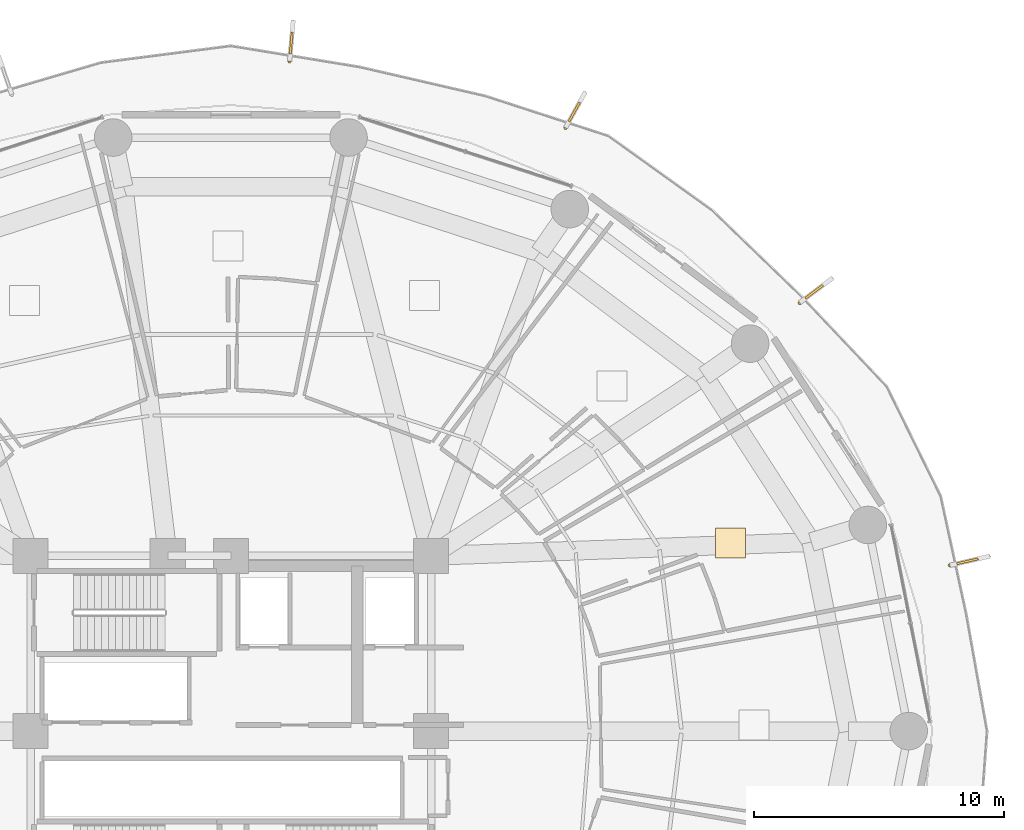
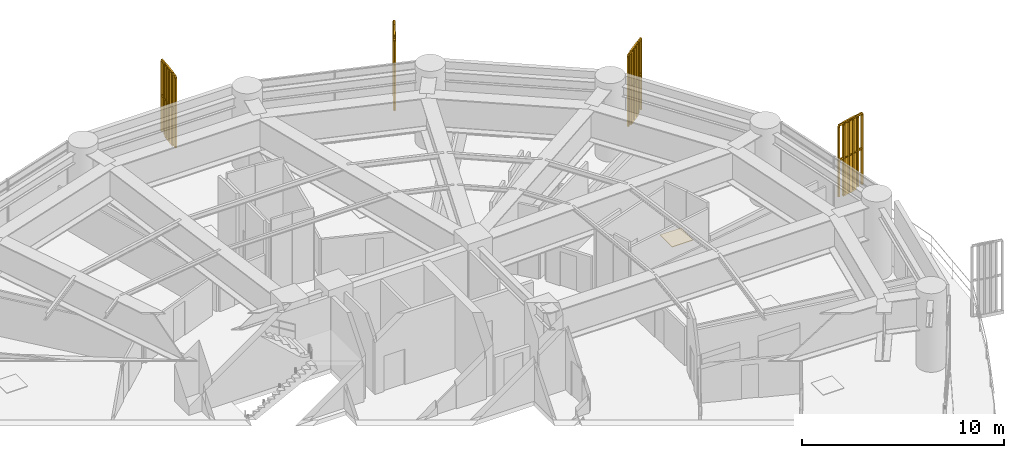
# One storey, part 31 of 31: 4 railings, 4 shading devices, 1 covering.
"""IFC4 building model written with IfcOpenShell, lengths in metres."""

from ifc_helpers import new_model, si_unit, direction, frame, origin, origin_2d, place, context, subcontext, project, spatial, polyline, rectangle, outline, extrude, source, transform, mapped, material, layer, layer_set, type_object, element, save


model = new_model("IFC4")

# Units and contexts
model_context = context("Model", 3, precision=1e-05, world=origin(), true_north=direction((0.0, 1.0)))
body_context = subcontext(model_context, "Body", "Model", "MODEL_VIEW")
ifc_project = project(units=[si_unit("LENGTHUNIT", "METRE"), si_unit("AREAUNIT", "SQUARE_METRE"), si_unit("VOLUMEUNIT", "CUBIC_METRE"), si_unit("PLANEANGLEUNIT", "RADIAN"), si_unit("MASSUNIT", "GRAM", prefix="KILO")], contexts=[model_context])

# Site, building, storey
site_placement = place(None, origin())
site = spatial("IfcSite", under=ifc_project, at=site_placement, CompositionType="ELEMENT")
building_placement = place(site_placement, origin())
building = spatial("IfcBuilding", under=site, at=building_placement, Name="Kelanora Arch Commons", CompositionType="ELEMENT")
storey_placement = place(building_placement, frame((0.0, 0.0, 67.5)))
storey = spatial("IfcBuildingStorey", under=building, at=storey_placement, Name="L17", CompositionType="ELEMENT", Elevation=67.5)

# Railings
ifc_material_1 = material(Name="Anodised bronze vertical shading fin rib assembly")
railing_type = type_object("IfcRailingType", Name="RAIL-FIN-BRZ", PredefinedType="BALUSTRADE", material=ifc_material_1)
railing_1_placement = place(storey_placement, frame((96.72802734375, 75.11767578125, -0.02001953125)))
element("IfcRailing", 1, at=railing_1_placement, inside=storey, type_object=railing_type, Name="Sweeping Bronze Vertical Fin Blade L17-00", PredefinedType="BALUSTRADE", context=body_context, shape_type="SweptSolid", body=[
    extrude(outline(polyline([(0.06982421875, 0.0), (0.034912109375, 0.060546875), (-0.034912109375, 0.060546875), (-0.06982421875, 0.0), (-0.034912109375, -0.060546875), (0.034912109375, -0.060546875), (0.06982421875, 0.0)])), frame((0.0, 0.0, 4.2900390625), z_axis=(0.798848930792, 0.601531699724, 0.0), x_axis=(-0.601531699724, 0.798848930792, 0.0)), (0.0, 0.0, 1.0), 1.580078125),
    extrude(outline(polyline([(0.06982421875, 0.0), (0.034912109375, 0.060546875), (-0.034912109375, 0.060546875), (-0.06982421875, 0.0), (-0.034912109375, -0.060546875), (0.034912109375, -0.060546875), (0.06982421875, 0.0)])), frame((0.0, 0.0, 2.18017578125), z_axis=(0.798848930792, 0.601531699724, 0.0), x_axis=(-0.601531699724, 0.798848930792, 0.0)), (0.0, 0.0, 1.0), 1.580078125),
    extrude(outline(polyline([(0.080078125, 0.0), (0.0400390625, 0.0693359375), (-0.0400390625, 0.0693359375), (-0.080078125, 0.0), (-0.0400390625, -0.0693359375), (0.0400390625, -0.0693359375), (0.080078125, 0.0)])), origin(), (0.0, 0.0, 1.0), 4.22021484375),
    extrude(outline(polyline([(0.080078125, 0.0), (0.0400390625, 0.0693359375), (-0.0400390625, 0.0693359375), (-0.080078125, 0.0), (-0.0400390625, -0.0693359375), (0.0400390625, -0.0693359375), (0.080078125, 0.0)])), frame((0.25244140625, 0.190185546875, 0.0)), (0.0, 0.0, 1.0), 4.22021484375),
    extrude(outline(polyline([(0.080078125, 0.0), (0.0400390625, 0.0693359375), (-0.0400390625, 0.0693359375), (-0.080078125, 0.0), (-0.0400390625, -0.0693359375), (0.0400390625, -0.0693359375), (0.080078125, 0.0)])), frame((0.5048828125, 0.380126953125, 0.0)), (0.0, 0.0, 1.0), 4.22021484375),
    extrude(outline(polyline([(0.080078125, 0.0), (0.0400390625, 0.0693359375), (-0.0400390625, 0.0693359375), (-0.080078125, 0.0), (-0.0400390625, -0.0693359375), (0.0400390625, -0.0693359375), (0.080078125, 0.0)])), frame((0.75732421875, 0.5703125, 0.0)), (0.0, 0.0, 1.0), 4.22021484375),
    extrude(outline(polyline([(0.080078125, 0.0), (0.0400390625, 0.0693359375), (-0.0400390625, 0.0693359375), (-0.080078125, 0.0), (-0.0400390625, -0.0693359375), (0.0400390625, -0.0693359375), (0.080078125, 0.0)])), frame((1.009765625, 0.76025390625, 0.0)), (0.0, 0.0, 1.0), 4.22021484375),
    extrude(outline(polyline([(0.080078125, 0.0), (0.0400390625, 0.0693359375), (-0.0400390625, 0.0693359375), (-0.080078125, 0.0), (-0.0400390625, -0.0693359375), (0.0400390625, -0.0693359375), (0.080078125, 0.0)])), frame((1.26220703125, 0.950439453125, 0.0)), (0.0, 0.0, 1.0), 4.22021484375),
])
railing_2_placement = place(storey_placement, frame((87.36962890625, 82.104736328125, -0.02001953125)))
element("IfcRailing", 2, at=railing_2_placement, inside=storey, type_object=railing_type, Name="Sweeping Bronze Vertical Fin Blade L17-01", PredefinedType="BALUSTRADE", context=body_context, shape_type="SweptSolid", body=[
    extrude(outline(polyline([(0.06982421875, 0.0), (0.034912109375, 0.060546875), (-0.034912109375, 0.060546875), (-0.06982421875, 0.0), (-0.034912109375, -0.060546875), (0.034912109375, -0.060546875), (0.06982421875, 0.0)])), frame((0.0, 0.0, 4.2900390625), z_axis=(0.48506552945, 0.874477805401, 0.0), x_axis=(-0.874477805401, 0.48506552945, 0.0)), (0.0, 0.0, 1.0), 1.579833984375),
    extrude(outline(polyline([(0.06982421875, 0.0), (0.034912109375, 0.060546875), (-0.034912109375, 0.060546875), (-0.06982421875, 0.0), (-0.034912109375, -0.060546875), (0.034912109375, -0.060546875), (0.06982421875, 0.0)])), frame((0.0, 0.0, 2.18017578125), z_axis=(0.48506552945, 0.874477805401, 0.0), x_axis=(-0.874477805401, 0.48506552945, 0.0)), (0.0, 0.0, 1.0), 1.579833984375),
    extrude(outline(polyline([(0.080078125, 0.0), (0.0400390625, 0.0693359375), (-0.0400390625, 0.0693359375), (-0.080078125, 0.0), (-0.0400390625, -0.0693359375), (0.0400390625, -0.0693359375), (0.080078125, 0.0)])), origin(), (0.0, 0.0, 1.0), 4.22021484375),
    extrude(outline(polyline([(0.080078125, 0.0), (0.0400390625, 0.0693359375), (-0.0400390625, 0.0693359375), (-0.080078125, 0.0), (-0.0400390625, -0.0693359375), (0.0400390625, -0.0693359375), (0.080078125, 0.0)])), frame((0.1533203125, 0.2763671875, 0.0)), (0.0, 0.0, 1.0), 4.22021484375),
    extrude(outline(polyline([(0.080078125, 0.0), (0.0400390625, 0.0693359375), (-0.0400390625, 0.0693359375), (-0.080078125, 0.0), (-0.0400390625, -0.0693359375), (0.0400390625, -0.0693359375), (0.080078125, 0.0)])), frame((0.306640625, 0.552734375, 0.0)), (0.0, 0.0, 1.0), 4.22021484375),
    extrude(outline(polyline([(0.080078125, 0.0), (0.0400390625, 0.0693359375), (-0.0400390625, 0.0693359375), (-0.080078125, 0.0), (-0.0400390625, -0.0693359375), (0.0400390625, -0.0693359375), (0.080078125, 0.0)])), frame((0.459716796875, 0.828857421875, 0.0)), (0.0, 0.0, 1.0), 4.22021484375),
    extrude(outline(polyline([(0.080078125, 0.0), (0.0400390625, 0.0693359375), (-0.0400390625, 0.0693359375), (-0.080078125, 0.0), (-0.0400390625, -0.0693359375), (0.0400390625, -0.0693359375), (0.080078125, 0.0)])), frame((0.613037109375, 1.105224609375, 0.0)), (0.0, 0.0, 1.0), 4.22021484375),
    extrude(outline(polyline([(0.080078125, 0.0), (0.0400390625, 0.0693359375), (-0.0400390625, 0.0693359375), (-0.080078125, 0.0), (-0.0400390625, -0.0693359375), (0.0400390625, -0.0693359375), (0.080078125, 0.0)])), frame((0.766357421875, 1.381591796875, 0.0)), (0.0, 0.0, 1.0), 4.22021484375),
])
railing_3_placement = place(storey_placement, frame((76.3486328125, 84.765380859375, -0.02001953125)))
element("IfcRailing", 3, at=railing_3_placement, inside=storey, type_object=railing_type, Name="Sweeping Bronze Vertical Fin Blade L17-02", PredefinedType="BALUSTRADE", context=body_context, shape_type="SweptSolid", body=[
    extrude(outline(polyline([(0.06982421875, 0.0), (0.034912109375, 0.060546875), (-0.034912109375, 0.060546875), (-0.06982421875, 0.0), (-0.034912109375, -0.060546875), (0.034912109375, -0.060546875), (0.06982421875, 0.0)])), frame((0.0, 0.0, 4.2900390625), z_axis=(0.087456380655, 0.99616834997, 0.0), x_axis=(-0.99616834997, 0.087456380655, 0.0)), (0.0, 0.0, 1.0), 1.580078125),
    extrude(outline(polyline([(0.06982421875, 0.0), (0.034912109375, 0.060546875), (-0.034912109375, 0.060546875), (-0.06982421875, 0.0), (-0.034912109375, -0.060546875), (0.034912109375, -0.060546875), (0.06982421875, 0.0)])), frame((0.0, 0.0, 2.18017578125), z_axis=(0.087456380655, 0.99616834997, 0.0), x_axis=(-0.99616834997, 0.087456380655, 0.0)), (0.0, 0.0, 1.0), 1.580078125),
    extrude(outline(polyline([(0.080078125, 0.0), (0.0400390625, 0.0693359375), (-0.0400390625, 0.0693359375), (-0.080078125, 0.0), (-0.0400390625, -0.0693359375), (0.0400390625, -0.0693359375), (0.080078125, 0.0)])), origin(), (0.0, 0.0, 1.0), 4.22021484375),
    extrude(outline(polyline([(0.080078125, 0.0), (0.0400390625, 0.0693359375), (-0.0400390625, 0.0693359375), (-0.080078125, 0.0), (-0.0400390625, -0.0693359375), (0.0400390625, -0.0693359375), (0.080078125, 0.0)])), frame((0.027587890625, 0.314697265625, 0.0)), (0.0, 0.0, 1.0), 4.22021484375),
    extrude(outline(polyline([(0.080078125, 0.0), (0.0400390625, 0.0693359375), (-0.0400390625, 0.0693359375), (-0.080078125, 0.0), (-0.0400390625, -0.0693359375), (0.0400390625, -0.0693359375), (0.080078125, 0.0)])), frame((0.05517578125, 0.629638671875, 0.0)), (0.0, 0.0, 1.0), 4.22021484375),
    extrude(outline(polyline([(0.080078125, 0.0), (0.0400390625, 0.0693359375), (-0.0400390625, 0.0693359375), (-0.080078125, 0.0), (-0.0400390625, -0.0693359375), (0.0400390625, -0.0693359375), (0.080078125, 0.0)])), frame((0.0830078125, 0.9443359375, 0.0)), (0.0, 0.0, 1.0), 4.22021484375),
    extrude(outline(polyline([(0.080078125, 0.0), (0.0400390625, 0.0693359375), (-0.0400390625, 0.0693359375), (-0.080078125, 0.0), (-0.0400390625, -0.0693359375), (0.0400390625, -0.0693359375), (0.080078125, 0.0)])), frame((0.110595703125, 1.25927734375, 0.0)), (0.0, 0.0, 1.0), 4.22021484375),
    extrude(outline(polyline([(0.080078125, 0.0), (0.0400390625, 0.0693359375), (-0.0400390625, 0.0693359375), (-0.080078125, 0.0), (-0.0400390625, -0.0693359375), (0.0400390625, -0.0693359375), (0.080078125, 0.0)])), frame((0.13818359375, 1.573974609375, 0.0)), (0.0, 0.0, 1.0), 4.22021484375),
])
railing_4_placement = place(storey_placement, frame((102.7265625, 64.6240234375, -0.02001953125)))
element("IfcRailing", 4, at=railing_4_placement, inside=storey, type_object=railing_type, Name="Sweeping Bronze Vertical Fin Blade L17-14", PredefinedType="BALUSTRADE", context=body_context, shape_type="SweptSolid", body=[
    extrude(outline(polyline([(0.06982421875, 0.0), (0.034912109375, 0.060546875), (-0.034912109375, 0.060546875), (-0.06982421875, 0.0), (-0.034912109375, -0.060546875), (0.034912109375, -0.060546875), (0.06982421875, 0.0)])), frame((0.0, 0.0, 4.2900390625), z_axis=(0.97443284855, 0.224678934632, 0.0), x_axis=(-0.224678934632, 0.97443284855, 0.0)), (0.0, 0.0, 1.0), 1.579833984375),
    extrude(outline(polyline([(0.06982421875, 0.0), (0.034912109375, 0.060546875), (-0.034912109375, 0.060546875), (-0.06982421875, 0.0), (-0.034912109375, -0.060546875), (0.034912109375, -0.060546875), (0.06982421875, 0.0)])), frame((0.0, 0.0, 2.18017578125), z_axis=(0.97443284855, 0.224678934632, 0.0), x_axis=(-0.224678934632, 0.97443284855, 0.0)), (0.0, 0.0, 1.0), 1.579833984375),
    extrude(outline(polyline([(0.080078125, 0.0), (0.0400390625, 0.0693359375), (-0.0400390625, 0.0693359375), (-0.080078125, 0.0), (-0.0400390625, -0.0693359375), (0.0400390625, -0.0693359375), (0.080078125, 0.0)])), origin(), (0.0, 0.0, 1.0), 4.22021484375),
    extrude(outline(polyline([(0.080078125, 0.0), (0.0400390625, 0.0693359375), (-0.0400390625, 0.0693359375), (-0.080078125, 0.0), (-0.0400390625, -0.0693359375), (0.0400390625, -0.0693359375), (0.080078125, 0.0)])), frame((0.307861328125, 0.071044921875, 0.0)), (0.0, 0.0, 1.0), 4.22021484375),
    extrude(outline(polyline([(0.080078125, 0.0), (0.0400390625, 0.0693359375), (-0.0400390625, 0.0693359375), (-0.080078125, 0.0), (-0.0400390625, -0.0693359375), (0.0400390625, -0.0693359375), (0.080078125, 0.0)])), frame((0.61572265625, 0.14208984375, 0.0)), (0.0, 0.0, 1.0), 4.22021484375),
    extrude(outline(polyline([(0.080078125, 0.0), (0.0400390625, 0.0693359375), (-0.0400390625, 0.0693359375), (-0.080078125, 0.0), (-0.0400390625, -0.0693359375), (0.0400390625, -0.0693359375), (0.080078125, 0.0)])), frame((0.923828125, 0.212890625, 0.0)), (0.0, 0.0, 1.0), 4.22021484375),
    extrude(outline(polyline([(0.080078125, 0.0), (0.0400390625, 0.0693359375), (-0.0400390625, 0.0693359375), (-0.080078125, 0.0), (-0.0400390625, -0.0693359375), (0.0400390625, -0.0693359375), (0.080078125, 0.0)])), frame((1.231689453125, 0.283935546875, 0.0)), (0.0, 0.0, 1.0), 4.22021484375),
    extrude(outline(polyline([(0.080078125, 0.0), (0.0400390625, 0.0693359375), (-0.0400390625, 0.0693359375), (-0.080078125, 0.0), (-0.0400390625, -0.0693359375), (0.0400390625, -0.0693359375), (0.080078125, 0.0)])), frame((1.53955078125, 0.35498046875, 0.0)), (0.0, 0.0, 1.0), 4.22021484375),
])

# Shading devices
ifc_material_2 = material(Name="Terracotta ceramic-clad extruded aluminium fin", Category="masonry")
shading_device_type = type_object("IfcShadingDeviceType", Name="SHD-FIN-FLARE", PredefinedType="USERDEFINED", material=ifc_material_2)
shared_shape_1 = source(origin(), body_context, "Body", "SweptSolid", [
    extrude(rectangle(XDim=0.8798828125, YDim=0.090087890625, at=origin_2d()), origin(), (0.0, 0.0, 1.0), 4.47998046875),
])
for number, where, z_axis, x_axis, name in (
    (5, (97.30322265625, 75.55078125, -0.139892578125), (0.0, 0.0, 1.0), (0.79884553446, 0.60153621011, 0.0), "Sweeping Terracotta Fin L17-00"),
    (6, (87.718994140625, 82.734375, -0.139892578125), (0.0, 0.0, 1.0), (0.485114890576, 0.874450423376, 0.0), "Sweeping Terracotta Fin L17-01"),
    (7, (76.41162109375, 85.482666015625, -0.139892578125), (0.0, 0.0, 1.0), (0.08750347498, 0.996164214307, 0.0), "Sweeping Terracotta Fin L17-02"),
    (8, (103.427978515625, 64.785888671875, -0.139892578125), (0.0, 0.0, 1.0), (0.97440931131, 0.224780991261, 0.0), "Sweeping Terracotta Fin L17-14"),
):
    element("IfcShadingDevice", number, at=place(storey_placement, frame(where, z_axis=z_axis, x_axis=x_axis)), inside=storey, type_object=shading_device_type, Name=name, ObjectType="FIN", PredefinedType="USERDEFINED", context=body_context, shape_type="MappedRepresentation", body=[
        mapped(shared_shape_1, transform((0.0, 0.0, 0.0), scale=1.0)),
    ])

# Covering
ifc_material_3 = material(Name="Polished local granite terrazzo flooring", Category="masonry")
ifc_layer = layer(ifc_material_3, 0.030029296875)
ifc_layer_set = layer_set([ifc_layer], Name="Polished local granite terrazzo flooring")
covering_type = type_object("IfcCoveringType", Name="COV-FLR-TER", PredefinedType="FLOORING", material=ifc_layer_set)
shared_shape_2 = source(origin(), body_context, "Body", "SweptSolid", [
    extrude(rectangle(XDim=1.199951171875, YDim=1.199951171875, at=origin_2d()), origin(), (0.0, 0.0, 1.0), 0.030029296875),
])
covering_placement = place(storey_placement, frame((93.952392578125, 65.512939453125, 0.0), z_axis=(0.0, 0.0, 1.0), x_axis=(1.0, 0.0, 0.0)))
element("IfcCovering", 9, at=covering_placement, inside=storey, type_object=covering_type, Name="Co-Living Studio L17-01 Terrazzo Finish", PredefinedType="FLOORING", context=body_context, shape_type="MappedRepresentation", body=[
    mapped(shared_shape_2, transform((0.0, 0.0, 0.0), scale=1.0)),
])

save(model, "model.ifc")
